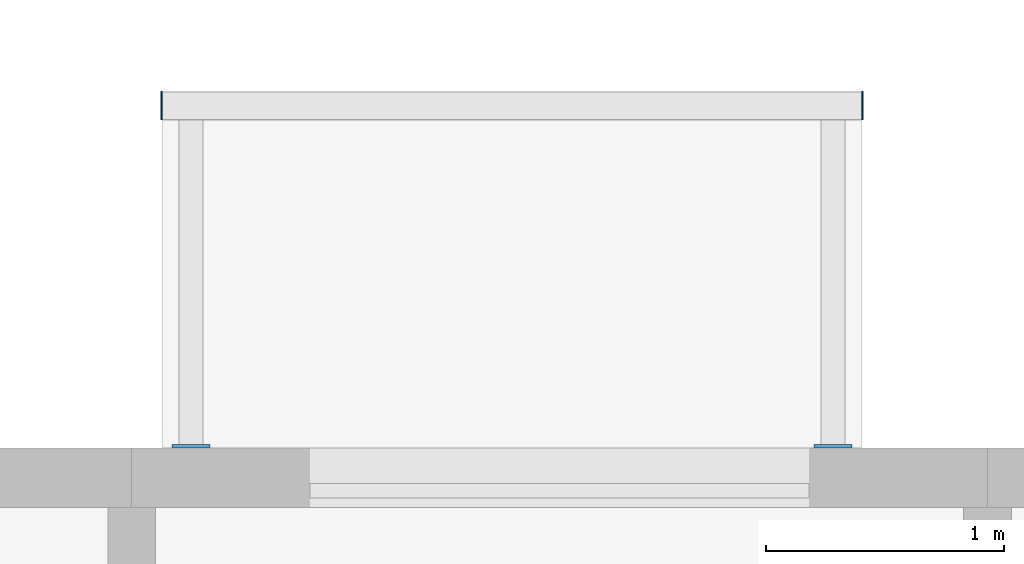
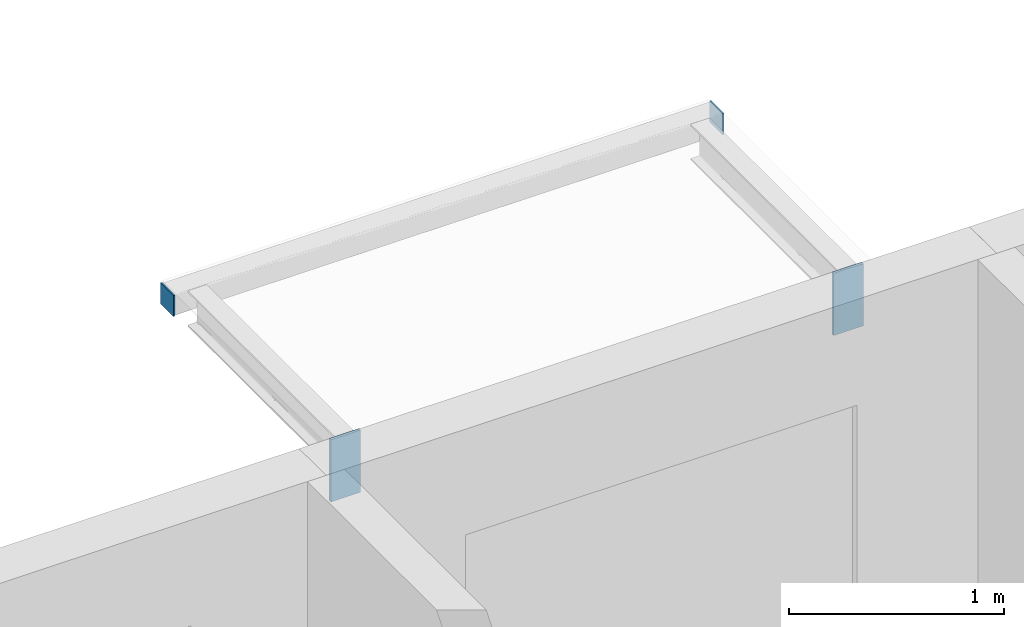
# One storey, part 65 of 99: 4 discrete accessories.
"""IFC4 building model written with IfcOpenShell, lengths in metres."""

from ifc_helpers import new_model, si_unit, direction, frame, origin, origin_2d, place, context, subcontext, project, spatial, rectangle, extrude, material, layer, layer_set, type_object, element, save


model = new_model("IFC4")

# Units and contexts
model_context = context("Model", 3, precision=1e-05, world=origin(), true_north=direction((0.0, 1.0)))
body_context = subcontext(model_context, "Body", "Model", "MODEL_VIEW")
ifc_project = project(units=[si_unit("LENGTHUNIT", "METRE"), si_unit("AREAUNIT", "SQUARE_METRE"), si_unit("VOLUMEUNIT", "CUBIC_METRE"), si_unit("PLANEANGLEUNIT", "RADIAN"), si_unit("MASSUNIT", "GRAM", prefix="KILO")], contexts=[model_context])

# Site, building, storey
site_placement = place(None, origin())
site = spatial("IfcSite", under=ifc_project, at=site_placement, CompositionType="ELEMENT")
building_placement = place(site_placement, origin())
building = spatial("IfcBuilding", under=site, at=building_placement, Name="Ridgestep Commons", CompositionType="ELEMENT")
storey_placement = place(building_placement, frame((0.0, 0.0, 15.0)))
storey = spatial("IfcBuildingStorey", under=building, at=storey_placement, Name="L05", CompositionType="ELEMENT", Elevation=15.0)

# Discrete accessories
ifc_material_1 = material(Name="Weathering steel S355J2W", Category="steel")
ifc_layer_1 = layer(ifc_material_1, 0.014892578125)
ifc_layer_set_1 = layer_set([ifc_layer_1], Name="Tray bracket plate 15")
discrete_accessory_type_1 = type_object("IfcDiscreteAccessoryType", Name="Tray bracket plate 15", PredefinedType="BRACKET", material=ifc_layer_set_1)
for number, where, z_axis, x_axis, name in (
    (1, (15.85009765625, 77.257568359375, 2.63671875), (0.0, 0.0, 1.0), (1.0, 0.0, 0.0), "Tray bracket B1T2-06.1"),
    (2, (18.550048828125, 77.257568359375, 2.63671875), (0.0, 0.0, 1.0), (1.0, 0.0, 0.0), "Tray bracket B1T2-06.2"),
):
    element("IfcDiscreteAccessory", number, at=place(storey_placement, frame(where, z_axis=z_axis, x_axis=x_axis)), inside=storey, type_object=discrete_accessory_type_1, Name=name, PredefinedType="BRACKET", context=body_context, shape_type="SweptSolid", body=[
        extrude(rectangle(XDim=0.159912109375, YDim=0.014892578125, at=origin_2d()), origin(), (0.0, 0.0, 1.0), 0.353271484375),
    ])
ifc_material_2 = material(Name="Weathering steel S355J2W", Category="steel")
ifc_layer_2 = layer(ifc_material_2, 0.008056640625)
ifc_layer_set_2 = layer_set([ifc_layer_2], Name="Tray edge member end plate 120 x 120 x 8")
discrete_accessory_type_2 = type_object("IfcDiscreteAccessoryType", Name="Tray edge member end plate 120 x 120 x 8", PredefinedType="BRACKET", material=ifc_layer_set_2)
for number, where, z_axis, x_axis, name in (
    (3, (15.72607421875, 78.68994140625, 2.869873046875), (0.0, 0.0, 1.0), (1.0, 0.0, 0.0), "Tray edge member end plate B1T2-06 west"),
    (4, (18.674072265625, 78.68994140625, 2.869873046875), (0.0, 0.0, 1.0), (1.0, 0.0, 0.0), "Tray edge member end plate B1T2-06 east"),
):
    element("IfcDiscreteAccessory", number, at=place(storey_placement, frame(where, z_axis=z_axis, x_axis=x_axis)), inside=storey, type_object=discrete_accessory_type_2, Name=name, PredefinedType="BRACKET", context=body_context, shape_type="SweptSolid", body=[
        extrude(rectangle(XDim=0.008056640625, YDim=0.1201171875, at=origin_2d()), origin(), (0.0, 0.0, 1.0), 0.1201171875),
    ])

save(model, "model.ifc")
